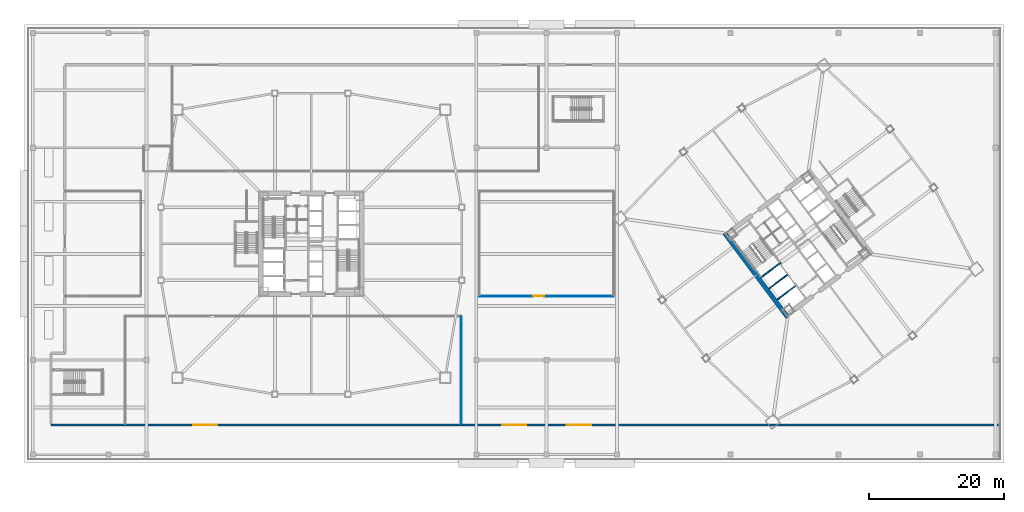
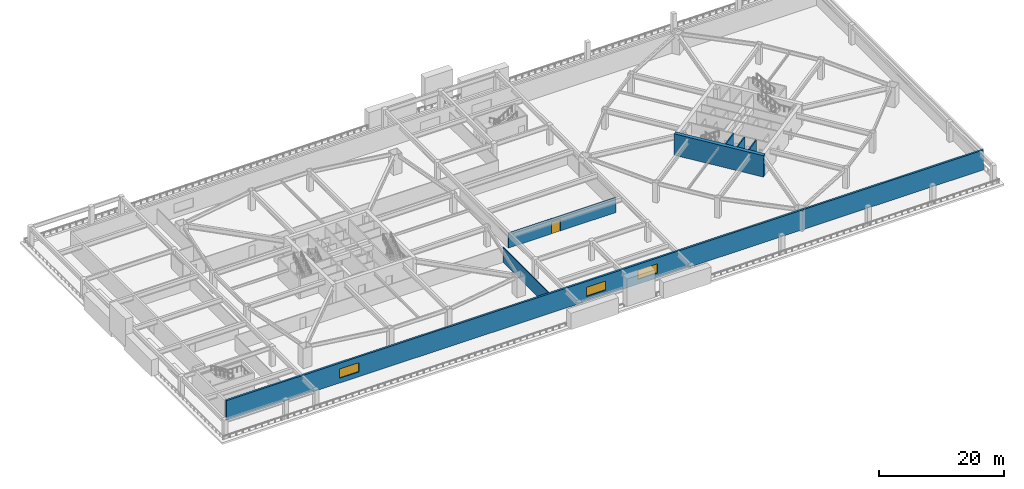
# One storey, part 7 of 20: 7 walls, 3 windows, 1 door, 4 openings.
"""IFC4 building model written with IfcOpenShell, lengths in metres."""

from ifc_helpers import new_model, si_unit, direction, frame, frame_2d, origin, place, context, subcontext, project, spatial, rectangle, extrude, material, layer, layer_set, type_object, element, fill, save


model = new_model("IFC4")

# Units and contexts
model_context = context("Model", 3, precision=1e-05, world=origin(), true_north=direction((0.0, 1.0)))
body_context = subcontext(model_context, "Body", "Model", "MODEL_VIEW")
ifc_project = project(units=[si_unit("LENGTHUNIT", "METRE"), si_unit("AREAUNIT", "SQUARE_METRE"), si_unit("VOLUMEUNIT", "CUBIC_METRE"), si_unit("PLANEANGLEUNIT", "RADIAN"), si_unit("MASSUNIT", "GRAM", prefix="KILO")], contexts=[model_context])

# Site, building, storey
site_placement = place(None, origin())
site = spatial("IfcSite", under=ifc_project, at=site_placement, CompositionType="ELEMENT")
building_placement = place(site_placement, origin())
building = spatial("IfcBuilding", under=site, at=building_placement, Name="Tashvorn Skyway Center", CompositionType="ELEMENT")
storey_placement = place(building_placement, frame((0.0, 0.0, 15.60009765625)))
storey = spatial("IfcBuildingStorey", under=building, at=storey_placement, Name="L03", CompositionType="ELEMENT", Elevation=15.60009765625)

# Wall
ifc_material_1 = material(Name="Concrete C60/75", Category="concrete")
ifc_layer_1 = layer(ifc_material_1, 0.64990234375)
ifc_layer_set_1 = layer_set([ifc_layer_1], Name="Concrete C60/75")
wall_type_1 = type_object("IfcWallType", Name="WALL-CORE-650", PredefinedType="SHEAR", material=ifc_layer_set_1)
wall_1_placement = place(storey_placement, frame((112.47607421875, 21.10693359375, 0.0), z_axis=(0.0, 0.0, 1.0), x_axis=(-0.600005007985, 0.799996243986, 0.0)))
element("IfcWall", 1, at=wall_1_placement, inside=storey, type_object=wall_type_1, Name="Tower 2 L03 West Core Shear Wall", PredefinedType="SHEAR", context=body_context, shape_type="SweptSolid", body=[
    extrude(rectangle(XDim=15.60009765625, YDim=0.64990234375, at=frame_2d((7.800048828125, 0.0))), origin(), (0.0, 0.0, 1.0), 4.199951171875),
])

# Wall, openings, windows
ifc_material_2 = material(Name="Precast concrete C40/50", Category="concrete")
ifc_layer_2 = layer(ifc_material_2, 0.35009765625)
ifc_layer_set_2 = layer_set([ifc_layer_2], Name="Precast concrete C40/50")
wall_type_2 = type_object("IfcWallType", Name="WALL-EXT-350", PredefinedType="SOLIDWALL", material=ifc_layer_set_2)
wall_2_placement = place(storey_placement, frame((143.824951171875, 5.199951171875, 0.0), z_axis=(0.0, 0.0, 1.0), x_axis=(-1.0, 0.0, 0.0)))
wall_2 = element("IfcWall", 2, at=wall_2_placement, inside=storey, type_object=wall_type_2, Name="L03 Stepped South Postmodern Facade Wall", PredefinedType="SOLIDWALL", context=body_context, shape_type="SweptSolid", body=[
    extrude(rectangle(XDim=140.324951171875, YDim=0.35009765625, at=frame_2d((70.16259765625, 0.0))), origin(), (0.0, 0.0, 1.0), 3.89990234375),
])
opening_1_placement = place(wall_2_placement, frame((115.72509765625, 0.0, 0.949951171875)))
opening_1 = element("IfcOpeningElement", 3, at=opening_1_placement, cuts=wall_2, Name="Opening WIN-3600", PredefinedType="OPENING", context=body_context, shape_type="SweptSolid", body=[
    extrude(rectangle(XDim=3.60009765625, YDim=1.800048828125, at=frame_2d((1.800048828125, 0.89990234375))), frame((0.0, 0.18505859375, 0.0), z_axis=(0.0, -1.0, 0.0), x_axis=(1.0, 0.0, 0.0)), (0.0, 0.0, 1.0), 0.3701171875),
])
opening_2_placement = place(wall_2_placement, frame((70.02490234375, 0.0, 0.949951171875)))
opening_2 = element("IfcOpeningElement", 4, at=opening_2_placement, cuts=wall_2, Name="Opening WIN-3600", PredefinedType="OPENING", context=body_context, shape_type="SweptSolid", body=[
    extrude(rectangle(XDim=3.60009765625, YDim=1.800048828125, at=frame_2d((1.800048828125, 0.89990234375))), frame((0.0, 0.18505859375, 0.0), z_axis=(0.0, -1.0, 0.0), x_axis=(1.0, 0.0, 0.0)), (0.0, 0.0, 1.0), 0.3701171875),
])
opening_3_placement = place(wall_2_placement, frame((60.425048828125, 0.0, 0.949951171875)))
opening_3 = element("IfcOpeningElement", 5, at=opening_3_placement, cuts=wall_2, Name="Opening WIN-3600", PredefinedType="OPENING", context=body_context, shape_type="SweptSolid", body=[
    extrude(rectangle(XDim=3.60009765625, YDim=1.800048828125, at=frame_2d((1.800048828125, 0.89990234375))), frame((0.0, 0.18505859375, 0.0), z_axis=(0.0, -1.0, 0.0), x_axis=(1.0, 0.0, 0.0)), (0.0, 0.0, 1.0), 0.3701171875),
])
ifc_material_3 = material(Name="Low-E solar-control double insulating safety glass", Category="glass")
window_type = type_object("IfcWindowType", Name="WIN-CLER-3600", PartitioningType="SINGLE_PANEL", PredefinedType="WINDOW", material=ifc_material_3)
window_1_placement = place(opening_1_placement, origin())
window_1 = element("IfcWindow", 6, at=window_1_placement, inside=storey, type_object=window_type, Name="L03 Stepped South Clerestory Window 01", OverallHeight=1.800048828125, OverallWidth=3.60009765625, PartitioningType="SINGLE_PANEL", PredefinedType="WINDOW", context=body_context, shape_type="SweptSolid", body=[
    extrude(rectangle(XDim=3.60009765625, YDim=1.800048828125, at=frame_2d((1.800048828125, 0.89990234375))), frame((0.0, 0.030029296875, 0.0), z_axis=(0.0, -1.0, 0.0), x_axis=(1.0, 0.0, 0.0)), (0.0, 0.0, 1.0), 0.06005859375),
])
fill(opening_1, window_1)
window_2_placement = place(opening_2_placement, origin())
window_2 = element("IfcWindow", 7, at=window_2_placement, inside=storey, type_object=window_type, Name="L03 Stepped South Clerestory Window 02", OverallHeight=1.800048828125, OverallWidth=3.60009765625, PartitioningType="SINGLE_PANEL", PredefinedType="WINDOW", context=body_context, shape_type="SweptSolid", body=[
    extrude(rectangle(XDim=3.60009765625, YDim=1.800048828125, at=frame_2d((1.800048828125, 0.89990234375))), frame((0.0, 0.030029296875, 0.0), z_axis=(0.0, -1.0, 0.0), x_axis=(1.0, 0.0, 0.0)), (0.0, 0.0, 1.0), 0.06005859375),
])
fill(opening_2, window_2)
window_3_placement = place(opening_3_placement, origin())
window_3 = element("IfcWindow", 8, at=window_3_placement, inside=storey, type_object=window_type, Name="L03 Stepped South Clerestory Window 03", OverallHeight=1.800048828125, OverallWidth=3.60009765625, PartitioningType="SINGLE_PANEL", PredefinedType="WINDOW", context=body_context, shape_type="SweptSolid", body=[
    extrude(rectangle(XDim=3.60009765625, YDim=1.800048828125, at=frame_2d((1.800048828125, 0.89990234375))), frame((0.0, 0.030029296875, 0.0), z_axis=(0.0, -1.0, 0.0), x_axis=(1.0, 0.0, 0.0)), (0.0, 0.0, 1.0), 0.06005859375),
])
fill(opening_3, window_3)

# Wall, opening, door
ifc_material_4 = material(Name="Gypsum board on cold-formed steel stud framing", Category="steel")
ifc_layer_3 = layer(ifc_material_4, 0.135009765625)
ifc_layer_set_3 = layer_set([ifc_layer_3], Name="Gypsum board on cold-formed steel stud framing")
wall_type_3 = type_object("IfcWallType", Name="WALL-PART-135", PredefinedType="PARTITIONING", material=ifc_layer_set_3)
wall_3_placement = place(storey_placement, frame((66.85009765625, 24.25, 0.0), z_axis=(0.0, 0.0, 1.0), x_axis=(1.0, 0.0, 0.0)))
wall_3 = element("IfcWall", 9, at=wall_3_placement, inside=storey, type_object=wall_type_3, Name="L03 Central Hall South Wall", PredefinedType="PARTITIONING", context=body_context, shape_type="SweptSolid", body=[
    extrude(rectangle(XDim=19.89990234375, YDim=0.135009765625, at=frame_2d((9.949951171875, 0.0))), origin(), (0.0, 0.0, 1.0), 2.94287109375),
])
opening_4_placement = place(wall_3_placement, frame((8.0, 0.0, 0.0)))
opening_4 = element("IfcOpeningElement", 10, at=opening_4_placement, cuts=wall_3, Name="Opening D-DBL-1600", PredefinedType="OPENING", context=body_context, shape_type="SweptSolid", body=[
    extrude(rectangle(XDim=1.60009765625, YDim=2.25, at=frame_2d((0.800048828125, 1.125))), frame((0.0, 0.077392578125, 0.0), z_axis=(0.0, -1.0, 0.0), x_axis=(1.0, 0.0, 0.0)), (0.0, 0.0, 1.0), 0.155029296875),
])
ifc_material_5 = material(Name="Anodized aluminium and tempered safety glass", Category="aluminium")
door_type = type_object("IfcDoorType", Name="DOOR-DBL-1600", OperationType="DOUBLE_DOOR_SINGLE_SWING", PredefinedType="DOOR", material=ifc_material_5)
door_placement = place(opening_4_placement, origin())
door = element("IfcDoor", 11, at=door_placement, inside=storey, type_object=door_type, Name="L03 Corporate Learning Hall Door", OperationType="DOUBLE_DOOR_SINGLE_SWING", OverallHeight=2.25, OverallWidth=1.60009765625, PredefinedType="DOOR", context=body_context, shape_type="SweptSolid", body=[
    extrude(rectangle(XDim=1.60009765625, YDim=2.25, at=frame_2d((0.800048828125, 1.125))), frame((0.0, 0.02490234375, 0.0), z_axis=(0.0, -1.0, 0.0), x_axis=(1.0, 0.0, 0.0)), (0.0, 0.0, 1.0), 0.050048828125),
])
fill(opening_4, door)

# Walls
wall_4_placement = place(storey_placement, frame((64.14990234375, 5.3798828125, 0.0), z_axis=(0.0, 0.0, 1.0), x_axis=(0.0, 1.0, 0.0)))
element("IfcWall", 12, at=wall_4_placement, inside=storey, type_object=wall_type_3, Name="L03 South Suite East Wall", PredefinedType="PARTITIONING", context=body_context, shape_type="SweptSolid", body=[
    extrude(rectangle(XDim=15.820068359375, YDim=0.135009765625, at=frame_2d((7.91015625, 0.0))), origin(), (0.0, 0.0, 1.0), 2.94287109375),
])
ifc_material_6 = material(Name="Concrete C40/50", Category="concrete")
ifc_layer_4 = layer(ifc_material_6, 0.199951171875)
ifc_layer_set_4 = layer_set([ifc_layer_4], Name="Concrete C40/50")
wall_type_4 = type_object("IfcWallType", Name="WALL-SHAFT-200", PredefinedType="SOLIDWALL", material=ifc_layer_set_4)
for number, where, z_axis, x_axis, name in (
    (13, (110.906005859375, 23.741943359375, 0.0), (0.0, 0.0, 1.0), (0.8, 0.6, 0.0), "Tower 2 L03 FSAE Shaft Divider"),
    (14, (109.68798828125, 25.365966796875, 0.0), (0.0, 0.0, 1.0), (0.8, 0.6, 0.0), "Tower 2 L03 FSAE Shaft Divider"),
):
    element("IfcWall", number, at=place(storey_placement, frame(where, z_axis=z_axis, x_axis=x_axis)), inside=storey, type_object=wall_type_4, Name=name, PredefinedType="SOLIDWALL", context=body_context, shape_type="SweptSolid", body=[
        extrude(rectangle(XDim=3.380126953125, YDim=0.199951171875, at=frame_2d((1.68994140625, 0.0))), origin(), (0.0, 0.0, 1.0), 3.89990234375),
    ])
ifc_layer_5 = layer(ifc_material_6, 0.199951171875)
ifc_layer_set_5 = layer_set([ifc_layer_5], Name="Concrete C40/50")
wall_type_5 = type_object("IfcWallType", Name="WALL-STSHF-200", PredefinedType="SHEAR", material=ifc_layer_set_5)
wall_5_placement = place(storey_placement, frame((108.47607421875, 26.98193359375, 0.0), z_axis=(0.0, 0.0, 1.0), x_axis=(0.799984290658, 0.600020945218, 0.0)))
element("IfcWall", 15, at=wall_5_placement, inside=storey, type_object=wall_type_5, Name="Tower 2 L03 Stair 1 South Wall", PredefinedType="SHEAR", context=body_context, shape_type="SweptSolid", body=[
    extrude(rectangle(XDim=3.72998046875, YDim=0.199951171875, at=frame_2d((1.864990234375, 0.0))), origin(), (0.0, 0.0, 1.0), 3.89990234375),
])

save(model, "model.ifc")
